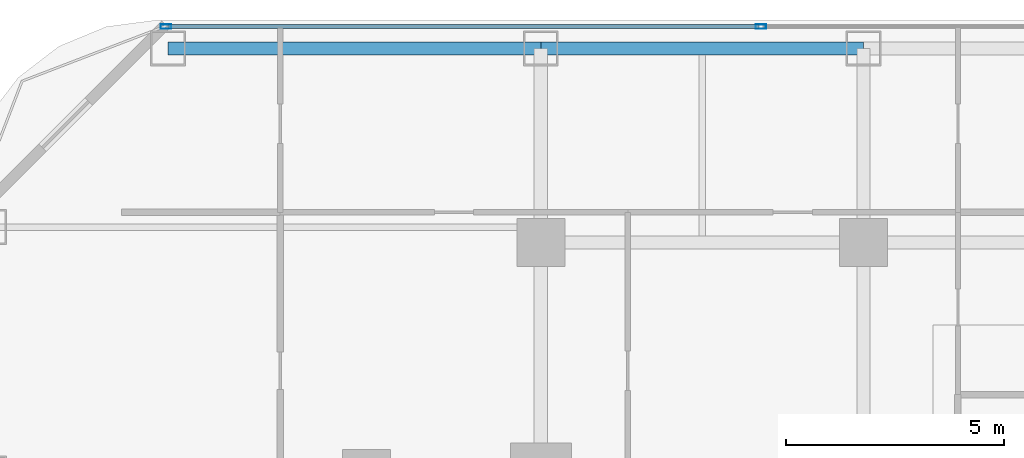
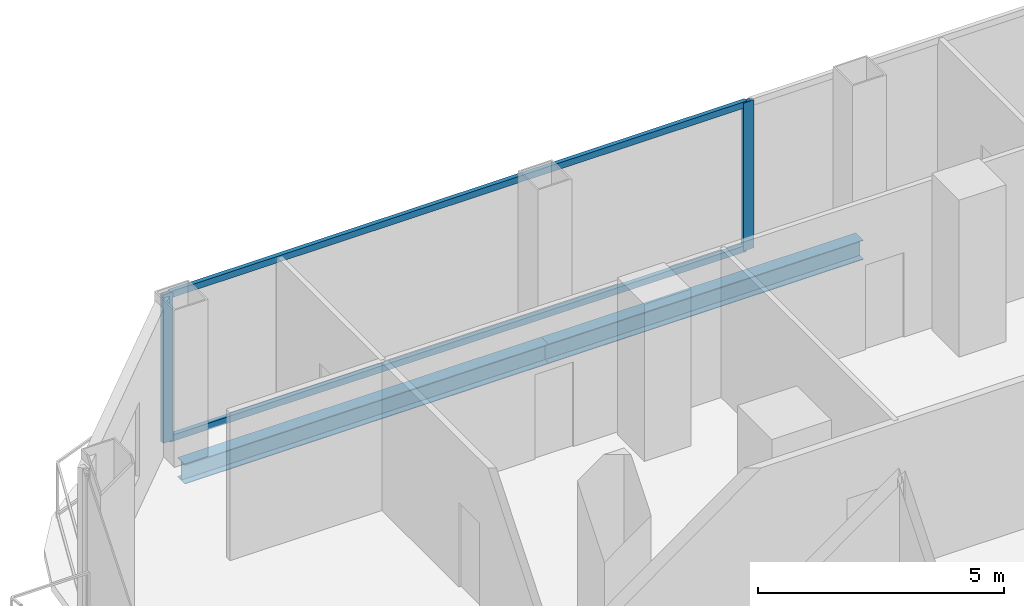
# One storey, part 15 of 29: 4 members, 2 beams, 1 element without a shape of its own.
"""IFC4 building model written with IfcOpenShell, lengths in metres."""

from ifc_helpers import new_model, si_unit, direction, frame, origin, origin_2d, place, context, subcontext, project, spatial, hollow_rectangle, i_section, extrude, material, layer, layer_set, material_profile, profile_set, type_object, element, aggregate, save


model = new_model("IFC4")

# Units and contexts
model_context = context("Model", 3, precision=1e-05, world=origin(), true_north=direction((0.0, 1.0)))
body_context = subcontext(model_context, "Body", "Model", "MODEL_VIEW")
ifc_project = project(units=[si_unit("LENGTHUNIT", "METRE"), si_unit("AREAUNIT", "SQUARE_METRE"), si_unit("VOLUMEUNIT", "CUBIC_METRE"), si_unit("PLANEANGLEUNIT", "RADIAN"), si_unit("MASSUNIT", "GRAM", prefix="KILO")], contexts=[model_context])

# Site, building, storey
site_placement = place(None, origin())
site = spatial("IfcSite", under=ifc_project, at=site_placement, CompositionType="ELEMENT")
building_placement = place(site_placement, origin())
building = spatial("IfcBuilding", under=site, at=building_placement, Name="Khorvyn Point Tower", CompositionType="ELEMENT")
storey_placement = place(building_placement, frame((0.0, 0.0, 61.800048828125)))
storey = spatial("IfcBuildingStorey", under=building, at=storey_placement, Name="L16", CompositionType="ELEMENT", Elevation=61.800048828125)

# Curtain wall, members
ifc_material_1 = material(Name="Anodised aluminium 6063-T6 and laminated Low-E glass", Category="aluminium")
ifc_layer = layer(ifc_material_1, 0.18994140625)
ifc_layer_set = layer_set([ifc_layer], Name="Stick-Built Finned Residential Curtain Wall CW-SYS-02")
curtain_wall_type = type_object("IfcCurtainWallType", Name="Stick-Built Finned Residential Curtain Wall CW-SYS-02", PredefinedType="NOTDEFINED", material=ifc_layer_set)
curtain_wall_placement = place(storey_placement, origin())
curtain_wall = element("IfcCurtainWall", 1, at=curtain_wall_placement, inside=storey, type_object=curtain_wall_type, Name="Curtain Wall", PredefinedType="NOTDEFINED")
ifc_material_2 = material(Name="Anodised aluminium 6063-T6", Category="aluminium")
ifc_material_profile_1 = material_profile(ifc_material_2, hollow_rectangle(XDim=0.10009765625, YDim=0.239990234375, WallThickness=0.0048828125, at=origin_2d()))
ifc_profile_set_1 = profile_set([ifc_material_profile_1], Name="Anodised aluminium 6063-T6 ALU-MUL-100x240")
member_type_1 = type_object("IfcMemberType", Name="Anodised Aluminium 6063-T6 Mullion ALU-MUL-100x240", PredefinedType="MULLION", material=ifc_profile_set_1)
member_1_placement = place(storey_placement, frame((-23.39990234375, 25.050048828125, 0.0), z_axis=(0.0, 0.0, 1.0), x_axis=(0.0, 1.0, 0.0)))
member_1 = element("IfcMember", 2, at=member_1_placement, type_object=member_type_1, Name="Transom", PredefinedType="MULLION", context=body_context, shape_type="SweptSolid", body=[
    extrude(hollow_rectangle(XDim=0.10009765625, YDim=0.239990234375, WallThickness=0.0048828125, at=origin_2d()), origin(), (0.0, 0.0, 1.0), 3.679931640625),
])
member_2_placement = place(storey_placement, frame((-9.75, 25.050048828125, 0.0), z_axis=(0.0, 0.0, 1.0), x_axis=(0.0, 1.0, 0.0)))
member_2 = element("IfcMember", 3, at=member_2_placement, type_object=member_type_1, Name="Transom", PredefinedType="MULLION", context=body_context, shape_type="SweptSolid", body=[
    extrude(hollow_rectangle(XDim=0.10009765625, YDim=0.239990234375, WallThickness=0.0048828125, at=origin_2d()), origin(), (0.0, 0.0, 1.0), 3.679931640625),
])
ifc_material_profile_2 = material_profile(ifc_material_2, hollow_rectangle(XDim=0.10009765625, YDim=0.159912109375, WallThickness=0.00439453125, at=origin_2d()))
ifc_profile_set_2 = profile_set([ifc_material_profile_2], Name="Anodised aluminium 6063-T6 ALU-TRN-100x160")
member_type_2 = type_object("IfcMemberType", Name="Anodised Aluminium 6063-T6 Transom ALU-TRN-100x160", PredefinedType="USERDEFINED", material=ifc_profile_set_2)
member_3_placement = place(storey_placement, frame((-23.35009765625, 25.050048828125, 0.050048828125), z_axis=(1.0, 0.0, 0.0), x_axis=(0.0, 1.0, 0.0)))
member_3 = element("IfcMember", 4, at=member_3_placement, type_object=member_type_2, Name="Transom", ObjectType="TRANSOM", PredefinedType="USERDEFINED", context=body_context, shape_type="SweptSolid", body=[
    extrude(hollow_rectangle(XDim=0.10009765625, YDim=0.159912109375, WallThickness=0.00439453125, at=origin_2d()), origin(), (0.0, 0.0, 1.0), 13.550048828125),
])
member_4_placement = place(storey_placement, frame((-23.35009765625, 25.050048828125, 3.6298828125), z_axis=(1.0, 0.0, 0.0), x_axis=(0.0, 1.0, 0.0)))
member_4 = element("IfcMember", 5, at=member_4_placement, type_object=member_type_2, Name="Transom", ObjectType="TRANSOM", PredefinedType="USERDEFINED", context=body_context, shape_type="SweptSolid", body=[
    extrude(hollow_rectangle(XDim=0.10009765625, YDim=0.159912109375, WallThickness=0.00439453125, at=origin_2d()), origin(), (0.0, 0.0, 1.0), 13.550048828125),
])
aggregate(curtain_wall, [member_1, member_2, member_3, member_4])

# Beams
ifc_material_3 = material(Name="Steel S355", Category="steel")
ifc_material_profile_3 = material_profile(ifc_material_3, i_section(OverallWidth=0.300048828125, OverallDepth=0.488037109375, WebThickness=0.010986328125, FlangeThickness=0.01806640625, at=origin_2d()))
ifc_profile_set_3 = profile_set([ifc_material_profile_3], Name="Steel S355 H488x300x11x18")
beam_type = type_object("IfcBeamType", Name="Steel S355 Spandrel H488x300x11x18", PredefinedType="SPANDREL", material=ifc_profile_set_3)
beam_1_placement = place(storey_placement, frame((-23.35009765625, 24.550048828125, -0.464111328125), z_axis=(1.0, 0.0, 0.0), x_axis=(0.0, 1.0, 0.0)))
element("IfcBeam", 6, at=beam_1_placement, inside=storey, type_object=beam_type, Name="Beam", PredefinedType="SPANDREL", context=body_context, shape_type="SweptSolid", body=[
    extrude(i_section(OverallWidth=0.300048828125, OverallDepth=0.488037109375, WebThickness=0.010986328125, FlangeThickness=0.01806640625, at=origin_2d()), origin(), (0.0, 0.0, 1.0), 8.550048828125),
])
beam_2_placement = place(storey_placement, frame((-14.800048828125, 24.550048828125, -0.464111328125), z_axis=(1.0, 0.0, 0.0), x_axis=(0.0, 1.0, 0.0)))
element("IfcBeam", 7, at=beam_2_placement, inside=storey, type_object=beam_type, Name="Beam", PredefinedType="SPANDREL", context=body_context, shape_type="SweptSolid", body=[
    extrude(i_section(OverallWidth=0.300048828125, OverallDepth=0.488037109375, WebThickness=0.010986328125, FlangeThickness=0.01806640625, at=origin_2d()), origin(), (0.0, 0.0, 1.0), 7.400146484375),
])

save(model, "model.ifc")
